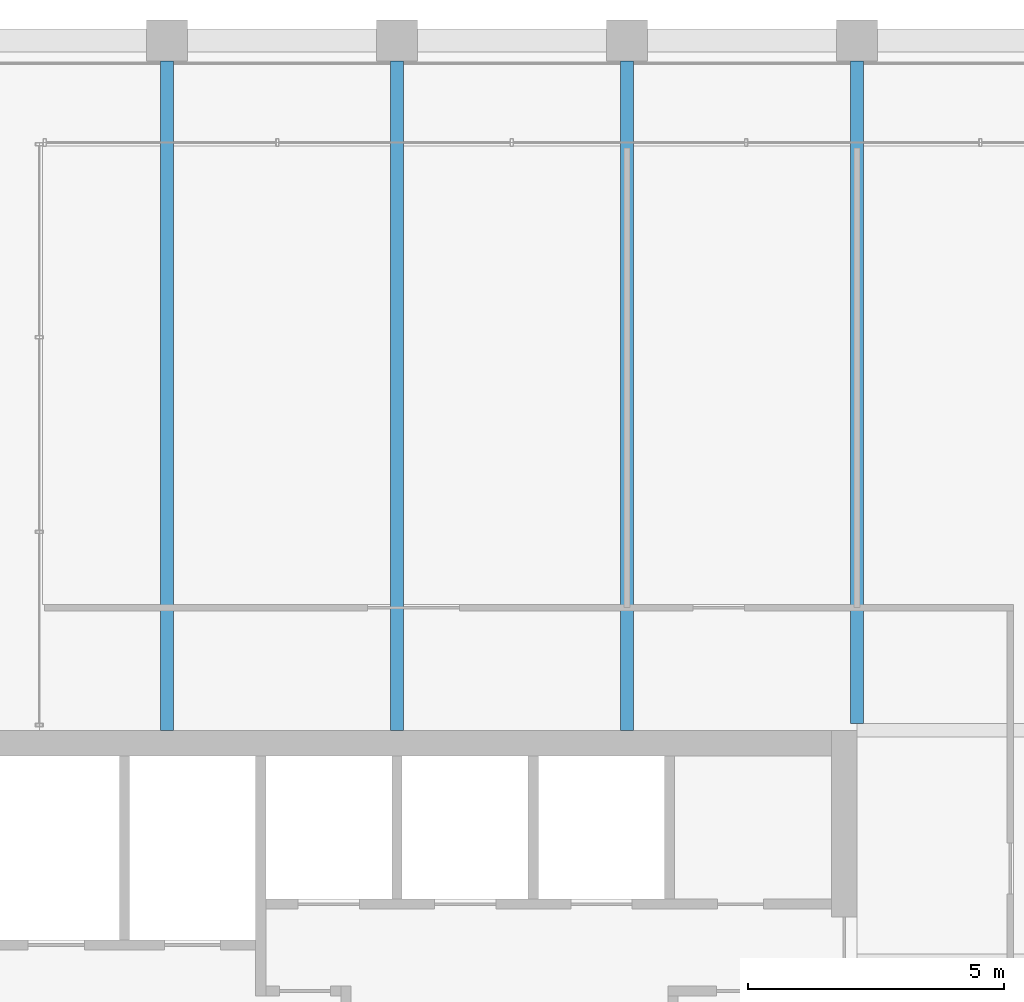
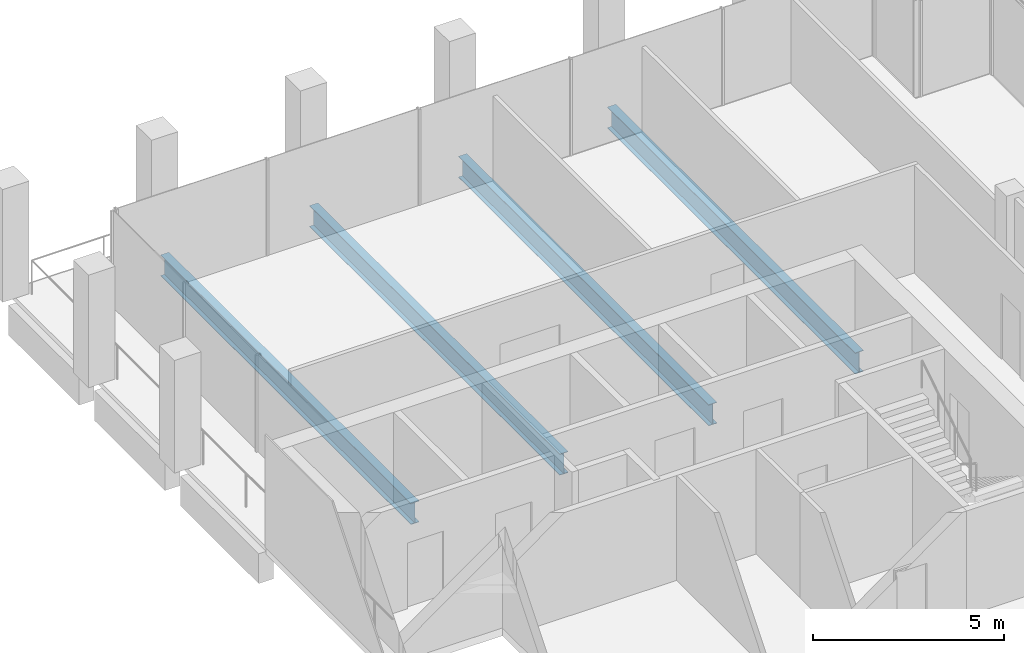
# One storey, part 22 of 40: 4 beams.
"""IFC4 building model written with IfcOpenShell, lengths in metres."""

from ifc_helpers import new_model, si_unit, direction, frame, origin, origin_2d, place, context, subcontext, project, spatial, i_section, extrude, material, material_profile, profile_set, type_object, element, save


model = new_model("IFC4")

# Units and contexts
model_context = context("Model", 3, precision=1e-05, world=origin(), true_north=direction((0.0, 1.0)))
body_context = subcontext(model_context, "Body", "Model", "MODEL_VIEW")
ifc_project = project(units=[si_unit("LENGTHUNIT", "METRE"), si_unit("AREAUNIT", "SQUARE_METRE"), si_unit("VOLUMEUNIT", "CUBIC_METRE"), si_unit("PLANEANGLEUNIT", "RADIAN"), si_unit("MASSUNIT", "GRAM", prefix="KILO")], contexts=[model_context])

# Site, building, storey
site_placement = place(None, origin())
site = spatial("IfcSite", under=ifc_project, at=site_placement, CompositionType="ELEMENT")
building_placement = place(site_placement, origin())
building = spatial("IfcBuilding", under=site, at=building_placement, Name="Altepetl Exchange Towers", CompositionType="ELEMENT")
storey_placement = place(building_placement, frame((0.0, 0.0, 199.199951171875)))
storey = spatial("IfcBuildingStorey", under=building, at=storey_placement, Name="L50", CompositionType="ELEMENT", Elevation=199.199951171875)

# Beams
ifc_material = material(Name="Steel S355", Category="steel")
ifc_material_profile = material_profile(ifc_material, i_section(OverallWidth=0.2529296875, OverallDepth=0.677978515625, WebThickness=0.01171875, FlangeThickness=0.016357421875, at=origin_2d()), Name="W27X84")
ifc_profile_set = profile_set([ifc_material_profile], Name="Steel S355")
beam_type = type_object("IfcBeamType", Name="Floor beam W27X84", PredefinedType="BEAM", material=ifc_profile_set)
for number, where, z_axis, x_axis, name in (
    (1, (45.0, 58.5, -0.489013671875), (0.0, 1.0, 0.0), (-1.0, 0.0, 0.0), "bm:A:L50:000"),
    (2, (49.5, 58.5, -0.489013671875), (0.0, 1.0, 0.0), (-1.0, 0.0, 0.0), "bm:A:L50:001"),
    (3, (54.0, 58.5, -0.489013671875), (0.0, 1.0, 0.0), (-1.0, 0.0, 0.0), "bm:A:L50:002"),
):
    element("IfcBeam", number, at=place(storey_placement, frame(where, z_axis=z_axis, x_axis=x_axis)), inside=storey, type_object=beam_type, Name=name, PredefinedType="BEAM", context=body_context, shape_type="SweptSolid", body=[
        extrude(i_section(OverallWidth=0.2529296875, OverallDepth=0.677978515625, WebThickness=0.01171875, FlangeThickness=0.016357421875, at=origin_2d()), origin(), (0.0, 0.0, 1.0), 13.10009765625),
    ])
beam_placement = place(storey_placement, frame((58.5, 58.634033203125, -0.489013671875), z_axis=(0.0, 1.0, 0.0), x_axis=(-1.0, 0.0, 0.0)))
element("IfcBeam", 4, at=beam_placement, inside=storey, type_object=beam_type, Name="bm:A:L50:003", PredefinedType="BEAM", context=body_context, shape_type="SweptSolid", body=[
    extrude(i_section(OverallWidth=0.2529296875, OverallDepth=0.677978515625, WebThickness=0.01171875, FlangeThickness=0.016357421875, at=origin_2d()), origin(), (0.0, 0.0, 1.0), 12.966064453125),
])

save(model, "model.ifc")
